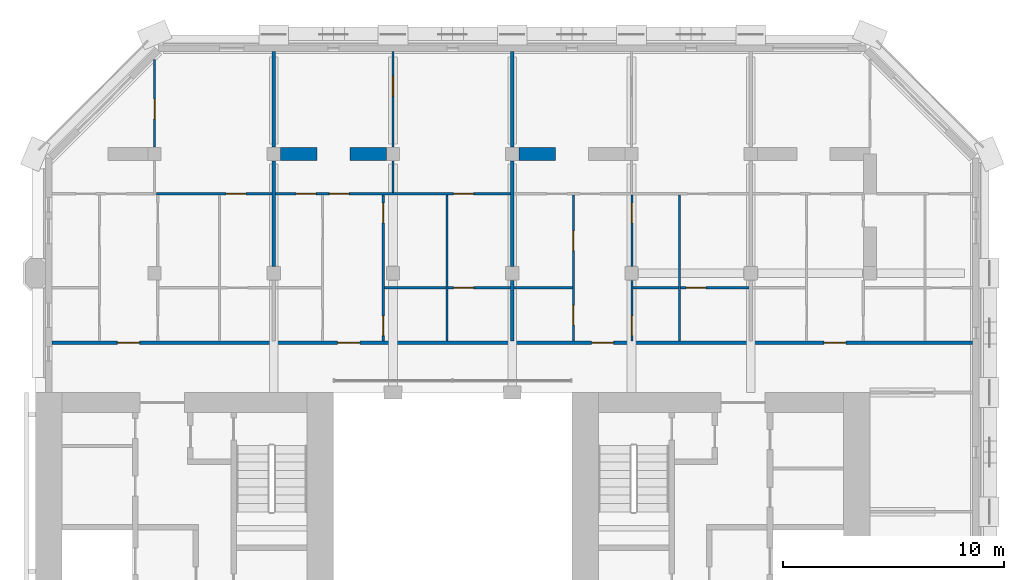
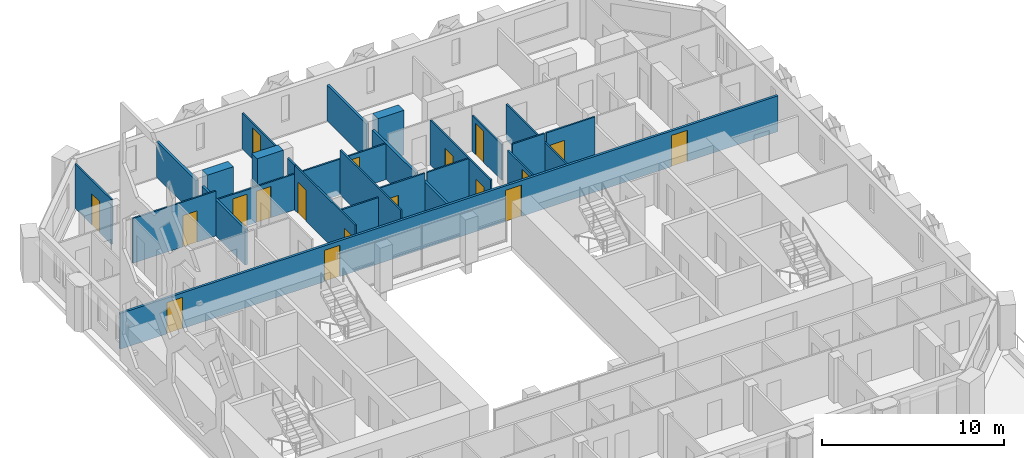
# One storey, part 12 of 17: 25 walls, 18 doors, 18 openings.
"""IFC4 building model written with IfcOpenShell, lengths in metres."""

from ifc_helpers import new_model, si_unit, direction, frame, frame_2d, origin, place, context, subcontext, project, spatial, rectangle, extrude, material, layer, layer_set, type_object, element, fill, save


model = new_model("IFC4")

# Units and contexts
model_context = context("Model", 3, precision=1e-05, world=origin(), true_north=direction((0.0, 1.0)))
body_context = subcontext(model_context, "Body", "Model", "MODEL_VIEW")
ifc_project = project(units=[si_unit("LENGTHUNIT", "METRE"), si_unit("AREAUNIT", "SQUARE_METRE"), si_unit("VOLUMEUNIT", "CUBIC_METRE"), si_unit("PLANEANGLEUNIT", "RADIAN"), si_unit("MASSUNIT", "GRAM", prefix="KILO")], contexts=[model_context])

# Site, building, storey
site_placement = place(None, origin())
site = spatial("IfcSite", under=ifc_project, at=site_placement, CompositionType="ELEMENT")
building_placement = place(site_placement, origin())
building = spatial("IfcBuilding", under=site, at=building_placement, Name="Tabaq Tower and Sports Hall", CompositionType="ELEMENT")
storey_placement = place(building_placement, frame((0.0, 0.0, 288.39990234375)))
storey = spatial("IfcBuildingStorey", under=building, at=storey_placement, Name="L71", CompositionType="ELEMENT", Elevation=288.39990234375)

# Wall, opening, door
ifc_material_1 = material(Name="Gypsum board on steel studs", Category="steel")
ifc_layer_1 = layer(ifc_material_1, 0.10009765625)
ifc_layer_set_1 = layer_set([ifc_layer_1], Name="Partition 100 Gypsum board")
wall_type_1 = type_object("IfcWallType", Name="Partition 100 Gypsum board", PredefinedType="PARTITIONING", material=ifc_layer_set_1)
wall_1_placement = place(storey_placement, frame((10.800048828125, 43.52001953125, 0.0), z_axis=(0.0, 0.0, 1.0), x_axis=(0.0, 1.0, 0.0)))
wall_1 = element("IfcWall", 1, at=wall_1_placement, inside=storey, type_object=wall_type_1, Name="Partition wall L71", PredefinedType="PARTITIONING", context=body_context, shape_type="SweptSolid", body=[
    extrude(rectangle(XDim=3.9677734375, YDim=0.10009765625, at=frame_2d((1.98388671875, 0.0))), origin(), (0.0, 0.0, 1.0), 3.0),
])
opening_1_placement = place(wall_1_placement, frame((1.266845703125, 0.0, 0.0)))
opening_1 = element("IfcOpeningElement", 2, at=opening_1_placement, cuts=wall_1, Name="Opening L71-031", PredefinedType="OPENING", context=body_context, shape_type="SweptSolid", body=[
    extrude(rectangle(XDim=0.89990234375, YDim=2.10009765625, at=frame_2d((0.449951171875, 1.050048828125))), frame((0.0, 0.050048828125, 0.0), z_axis=(0.0, -1.0, 0.0), x_axis=(1.0, 0.0, 0.0)), (0.0, 0.0, 1.0), 0.10009765625),
])
ifc_material_2 = material(Name="Timber leaf in steel frame", Category="steel")
door_type_1 = type_object("IfcDoorType", Name="Internal door 900 right hand", OperationType="SINGLE_SWING_RIGHT", PredefinedType="DOOR", material=ifc_material_2)
door_1_placement = place(opening_1_placement, origin())
door_1 = element("IfcDoor", 3, at=door_1_placement, inside=storey, type_object=door_type_1, Name="Internal door L71-031", OperationType="SINGLE_SWING_RIGHT", OverallHeight=2.10009765625, OverallWidth=0.89990234375, PredefinedType="DOOR", context=body_context, shape_type="SweptSolid", body=[
    extrude(rectangle(XDim=0.89990234375, YDim=2.10009765625, at=frame_2d((0.449951171875, 1.050048828125))), frame((0.0, 0.02490234375, 0.0), z_axis=(0.0, -1.0, 0.0), x_axis=(1.0, 0.0, 0.0)), (0.0, 0.0, 1.0), 0.050048828125),
])
fill(opening_1, door_1)

wall_2_placement = place(storey_placement, frame((10.889892578125, 41.39990234375, 0.0), z_axis=(0.0, 0.0, 1.0), x_axis=(1.0, 0.0, 0.0)))
wall_2 = element("IfcWall", 4, at=wall_2_placement, inside=storey, type_object=wall_type_1, Name="Partition wall L71", PredefinedType="PARTITIONING", context=body_context, shape_type="SweptSolid", body=[
    extrude(rectangle(XDim=5.235107421875, YDim=0.10009765625, at=frame_2d((2.61767578125, 0.0))), origin(), (0.0, 0.0, 1.0), 3.0),
])
opening_2_placement = place(wall_2_placement, frame((3.14990234375, 0.0, 0.0)))
opening_2 = element("IfcOpeningElement", 5, at=opening_2_placement, cuts=wall_2, Name="Opening L71-033", PredefinedType="OPENING", context=body_context, shape_type="SweptSolid", body=[
    extrude(rectangle(XDim=0.89990234375, YDim=2.10009765625, at=frame_2d((0.449951171875, 1.050048828125))), frame((0.0, 0.050048828125, 0.0), z_axis=(0.0, -1.0, 0.0), x_axis=(1.0, 0.0, 0.0)), (0.0, 0.0, 1.0), 0.10009765625),
])
ifc_material_3 = material(Name="Timber leaf in steel frame", Category="steel")
door_type_2 = type_object("IfcDoorType", Name="Internal door 900 left hand", OperationType="SINGLE_SWING_LEFT", PredefinedType="DOOR", material=ifc_material_3)
door_2_placement = place(opening_2_placement, origin())
door_2 = element("IfcDoor", 6, at=door_2_placement, inside=storey, type_object=door_type_2, Name="Internal door L71-033", OperationType="SINGLE_SWING_LEFT", OverallHeight=2.10009765625, OverallWidth=0.89990234375, PredefinedType="DOOR", context=body_context, shape_type="SweptSolid", body=[
    extrude(rectangle(XDim=0.89990234375, YDim=2.10009765625, at=frame_2d((0.449951171875, 1.050048828125))), frame((0.0, 0.02490234375, 0.0), z_axis=(0.0, -1.0, 0.0), x_axis=(1.0, 0.0, 0.0)), (0.0, 0.0, 1.0), 0.050048828125),
])
fill(opening_2, door_2)

# Wall
wall_3_placement = place(storey_placement, frame((21.60009765625, 41.449951171875, 0.0), z_axis=(0.0, 0.0, 1.0), x_axis=(0.0, 1.0, 0.0)))
element("IfcWall", 7, at=wall_3_placement, inside=storey, type_object=wall_type_1, Name="Partition wall L71", PredefinedType="PARTITIONING", context=body_context, shape_type="SweptSolid", body=[
    extrude(rectangle(XDim=1.429931640625, YDim=0.10009765625, at=frame_2d((0.71484375, 0.0))), origin(), (0.0, 0.0, 1.0), 2.400146484375),
])

# Wall, opening, door
wall_4_placement = place(storey_placement, frame((21.60009765625, 43.52001953125, 0.0), z_axis=(0.0, 0.0, 1.0), x_axis=(0.0, 1.0, 0.0)))
wall_4 = element("IfcWall", 8, at=wall_4_placement, inside=storey, type_object=wall_type_1, Name="Partition wall L71", PredefinedType="PARTITIONING", context=body_context, shape_type="SweptSolid", body=[
    extrude(rectangle(XDim=4.3291015625, YDim=0.10009765625, at=frame_2d((2.16455078125, 0.0))), origin(), (0.0, 0.0, 1.0), 2.400146484375),
])
opening_3_placement = place(wall_4_placement, frame((2.304931640625, 0.0, 0.0)))
opening_3 = element("IfcOpeningElement", 9, at=opening_3_placement, cuts=wall_4, Name="Opening L71-035", PredefinedType="OPENING", context=body_context, shape_type="SweptSolid", body=[
    extrude(rectangle(XDim=0.89990234375, YDim=2.10009765625, at=frame_2d((0.449951171875, 1.050048828125))), frame((0.0, 0.050048828125, 0.0), z_axis=(0.0, -1.0, 0.0), x_axis=(1.0, 0.0, 0.0)), (0.0, 0.0, 1.0), 0.10009765625),
])
door_3_placement = place(opening_3_placement, origin())
door_3 = element("IfcDoor", 10, at=door_3_placement, inside=storey, type_object=door_type_1, Name="Internal door L71-035", OperationType="SINGLE_SWING_RIGHT", OverallHeight=2.10009765625, OverallWidth=0.89990234375, PredefinedType="DOOR", context=body_context, shape_type="SweptSolid", body=[
    extrude(rectangle(XDim=0.89990234375, YDim=2.10009765625, at=frame_2d((0.449951171875, 1.050048828125))), frame((0.0, 0.02490234375, 0.0), z_axis=(0.0, -1.0, 0.0), x_axis=(1.0, 0.0, 0.0)), (0.0, 0.0, 1.0), 0.050048828125),
])
fill(opening_3, door_3)

# Wall, openings, doors
wall_5_placement = place(storey_placement, frame((16.27490234375, 41.39990234375, 0.0), z_axis=(0.0, 0.0, 1.0), x_axis=(1.0, 0.0, 0.0)))
wall_5 = element("IfcWall", 11, at=wall_5_placement, inside=storey, type_object=wall_type_1, Name="Partition wall L71", PredefinedType="PARTITIONING", context=body_context, shape_type="SweptSolid", body=[
    extrude(rectangle(XDim=10.650146484375, YDim=0.10009765625, at=frame_2d((5.3251953125, 0.0))), origin(), (0.0, 0.0, 1.0), 2.400146484375),
])
opening_4_placement = place(wall_5_placement, frame((0.93701171875, 0.0, 0.0)))
opening_4 = element("IfcOpeningElement", 12, at=opening_4_placement, cuts=wall_5, Name="Opening L71-036", PredefinedType="OPENING", context=body_context, shape_type="SweptSolid", body=[
    extrude(rectangle(XDim=0.89990234375, YDim=2.10009765625, at=frame_2d((0.449951171875, 1.050048828125))), frame((0.0, 0.050048828125, 0.0), z_axis=(0.0, -1.0, 0.0), x_axis=(1.0, 0.0, 0.0)), (0.0, 0.0, 1.0), 0.10009765625),
])
opening_5_placement = place(wall_5_placement, frame((8.074951171875, 0.0, 0.0)))
opening_5 = element("IfcOpeningElement", 13, at=opening_5_placement, cuts=wall_5, Name="Opening L71-037", PredefinedType="OPENING", context=body_context, shape_type="SweptSolid", body=[
    extrude(rectangle(XDim=0.89990234375, YDim=2.10009765625, at=frame_2d((0.449951171875, 1.050048828125))), frame((0.0, 0.050048828125, 0.0), z_axis=(0.0, -1.0, 0.0), x_axis=(1.0, 0.0, 0.0)), (0.0, 0.0, 1.0), 0.10009765625),
])
opening_6_placement = place(wall_5_placement, frame((2.43701171875, 0.0, 0.0)))
opening_6 = element("IfcOpeningElement", 14, at=opening_6_placement, cuts=wall_5, Name="Opening L71-053", PredefinedType="OPENING", context=body_context, shape_type="SweptSolid", body=[
    extrude(rectangle(XDim=0.89990234375, YDim=2.10009765625, at=frame_2d((0.449951171875, 1.050048828125))), frame((0.0, 0.050048828125, 0.0), z_axis=(0.0, -1.0, 0.0), x_axis=(1.0, 0.0, 0.0)), (0.0, 0.0, 1.0), 0.10009765625),
])
door_4_placement = place(opening_5_placement, origin())
door_4 = element("IfcDoor", 15, at=door_4_placement, inside=storey, type_object=door_type_2, Name="Internal door L71-037", OperationType="SINGLE_SWING_LEFT", OverallHeight=2.10009765625, OverallWidth=0.89990234375, PredefinedType="DOOR", context=body_context, shape_type="SweptSolid", body=[
    extrude(rectangle(XDim=0.89990234375, YDim=2.10009765625, at=frame_2d((0.449951171875, 1.050048828125))), frame((0.0, 0.02490234375, 0.0), z_axis=(0.0, -1.0, 0.0), x_axis=(1.0, 0.0, 0.0)), (0.0, 0.0, 1.0), 0.050048828125),
])
fill(opening_5, door_4)
door_5_placement = place(opening_6_placement, origin())
door_5 = element("IfcDoor", 16, at=door_5_placement, inside=storey, type_object=door_type_2, Name="Internal door L71-053", OperationType="SINGLE_SWING_LEFT", OverallHeight=2.10009765625, OverallWidth=0.89990234375, PredefinedType="DOOR", context=body_context, shape_type="SweptSolid", body=[
    extrude(rectangle(XDim=0.89990234375, YDim=2.10009765625, at=frame_2d((0.449951171875, 1.050048828125))), frame((0.0, 0.02490234375, 0.0), z_axis=(0.0, -1.0, 0.0), x_axis=(1.0, 0.0, 0.0)), (0.0, 0.0, 1.0), 0.050048828125),
])
fill(opening_6, door_5)
door_6_placement = place(opening_4_placement, origin())
door_6 = element("IfcDoor", 17, at=door_6_placement, inside=storey, type_object=door_type_1, Name="Internal door L71-036", OperationType="SINGLE_SWING_RIGHT", OverallHeight=2.10009765625, OverallWidth=0.89990234375, PredefinedType="DOOR", context=body_context, shape_type="SweptSolid", body=[
    extrude(rectangle(XDim=0.89990234375, YDim=2.10009765625, at=frame_2d((0.449951171875, 1.050048828125))), frame((0.0, 0.02490234375, 0.0), z_axis=(0.0, -1.0, 0.0), x_axis=(1.0, 0.0, 0.0)), (0.0, 0.0, 1.0), 0.050048828125),
])
fill(opening_4, door_6)

wall_6_placement = place(storey_placement, frame((21.162109375, 34.72509765625, 0.0), z_axis=(0.0, 0.0, 1.0), x_axis=(0.0, 1.0, 0.0)))
wall_6 = element("IfcWall", 18, at=wall_6_placement, inside=storey, type_object=wall_type_1, Name="Partition wall L71", PredefinedType="PARTITIONING", context=body_context, shape_type="SweptSolid", body=[
    extrude(rectangle(XDim=6.625, YDim=0.10009765625, at=frame_2d((3.3125, 0.0))), origin(), (0.0, 0.0, 1.0), 3.0),
])
opening_7_placement = place(wall_6_placement, frame((5.360107421875, 0.0, 0.0)))
opening_7 = element("IfcOpeningElement", 19, at=opening_7_placement, cuts=wall_6, Name="Opening L71-006", PredefinedType="OPENING", context=body_context, shape_type="SweptSolid", body=[
    extrude(rectangle(XDim=0.89990234375, YDim=2.10009765625, at=frame_2d((0.449951171875, 1.050048828125))), frame((0.0, 0.050048828125, 0.0), z_axis=(0.0, -1.0, 0.0), x_axis=(1.0, 0.0, 0.0)), (0.0, 0.0, 1.0), 0.10009765625),
])
opening_8_placement = place(wall_6_placement, frame((0.25, 0.0, 0.0)))
opening_8 = element("IfcOpeningElement", 20, at=opening_8_placement, cuts=wall_6, Name="Opening L71-007", PredefinedType="OPENING", context=body_context, shape_type="SweptSolid", body=[
    extrude(rectangle(XDim=0.89990234375, YDim=2.10009765625, at=frame_2d((0.449951171875, 1.050048828125))), frame((0.0, 0.050048828125, 0.0), z_axis=(0.0, -1.0, 0.0), x_axis=(1.0, 0.0, 0.0)), (0.0, 0.0, 1.0), 0.10009765625),
])
door_7_placement = place(opening_7_placement, origin())
door_7 = element("IfcDoor", 21, at=door_7_placement, inside=storey, type_object=door_type_2, Name="Internal door L71-006", OperationType="SINGLE_SWING_LEFT", OverallHeight=2.10009765625, OverallWidth=0.89990234375, PredefinedType="DOOR", context=body_context, shape_type="SweptSolid", body=[
    extrude(rectangle(XDim=0.89990234375, YDim=2.10009765625, at=frame_2d((0.449951171875, 1.050048828125))), frame((0.0, 0.02490234375, 0.0), z_axis=(0.0, -1.0, 0.0), x_axis=(1.0, 0.0, 0.0)), (0.0, 0.0, 1.0), 0.050048828125),
])
fill(opening_7, door_7)
door_8_placement = place(opening_8_placement, origin())
door_8 = element("IfcDoor", 22, at=door_8_placement, inside=storey, type_object=door_type_2, Name="Internal door L71-007", OperationType="SINGLE_SWING_LEFT", OverallHeight=2.10009765625, OverallWidth=0.89990234375, PredefinedType="DOOR", context=body_context, shape_type="SweptSolid", body=[
    extrude(rectangle(XDim=0.89990234375, YDim=2.10009765625, at=frame_2d((0.449951171875, 1.050048828125))), frame((0.0, 0.02490234375, 0.0), z_axis=(0.0, -1.0, 0.0), x_axis=(1.0, 0.0, 0.0)), (0.0, 0.0, 1.0), 0.050048828125),
])
fill(opening_8, door_8)

# Walls
wall_7_placement = place(storey_placement, frame((21.2119140625, 37.14990234375, 0.0), z_axis=(0.0, 0.0, 1.0), x_axis=(1.0, 0.0, 0.0)))
element("IfcWall", 23, at=wall_7_placement, inside=storey, type_object=wall_type_1, Name="Partition wall L71", PredefinedType="PARTITIONING", context=body_context, shape_type="SweptSolid", body=[
    extrude(rectangle(XDim=2.7880859375, YDim=0.10009765625, at=frame_2d((1.39404296875, 0.0))), origin(), (0.0, 0.0, 1.0), 2.400146484375),
])
wall_8_placement = place(storey_placement, frame((24.050048828125, 34.72509765625, 0.0), z_axis=(0.0, 0.0, 1.0), x_axis=(0.0, 1.0, 0.0)))
element("IfcWall", 24, at=wall_8_placement, inside=storey, type_object=wall_type_1, Name="Partition wall L71", PredefinedType="PARTITIONING", context=body_context, shape_type="SweptSolid", body=[
    extrude(rectangle(XDim=6.625, YDim=0.10009765625, at=frame_2d((3.3125, 0.0))), origin(), (0.0, 0.0, 1.0), 3.0),
])

# Wall, opening, door
wall_9_placement = place(storey_placement, frame((24.10009765625, 37.14990234375, 0.0), z_axis=(0.0, 0.0, 1.0), x_axis=(1.0, 0.0, 0.0)))
wall_9 = element("IfcWall", 25, at=wall_9_placement, inside=storey, type_object=wall_type_1, Name="Partition wall L71", PredefinedType="PARTITIONING", context=body_context, shape_type="SweptSolid", body=[
    extrude(rectangle(XDim=2.824951171875, YDim=0.10009765625, at=frame_2d((1.41259765625, 0.0))), origin(), (0.0, 0.0, 1.0), 3.0),
])
opening_9_placement = place(wall_9_placement, frame((0.25, 0.0, 0.0)))
opening_9 = element("IfcOpeningElement", 26, at=opening_9_placement, cuts=wall_9, Name="Opening L71-008", PredefinedType="OPENING", context=body_context, shape_type="SweptSolid", body=[
    extrude(rectangle(XDim=0.89990234375, YDim=2.10009765625, at=frame_2d((0.449951171875, 1.050048828125))), frame((0.0, 0.050048828125, 0.0), z_axis=(0.0, -1.0, 0.0), x_axis=(1.0, 0.0, 0.0)), (0.0, 0.0, 1.0), 0.10009765625),
])
door_9_placement = place(opening_9_placement, origin())
door_9 = element("IfcDoor", 27, at=door_9_placement, inside=storey, type_object=door_type_2, Name="Internal door L71-008", OperationType="SINGLE_SWING_LEFT", OverallHeight=2.10009765625, OverallWidth=0.89990234375, PredefinedType="DOOR", context=body_context, shape_type="SweptSolid", body=[
    extrude(rectangle(XDim=0.89990234375, YDim=2.10009765625, at=frame_2d((0.449951171875, 1.050048828125))), frame((0.0, 0.02490234375, 0.0), z_axis=(0.0, -1.0, 0.0), x_axis=(1.0, 0.0, 0.0)), (0.0, 0.0, 1.0), 0.050048828125),
])
fill(opening_9, door_9)

# Wall
wall_10_placement = place(storey_placement, frame((27.074951171875, 37.14990234375, 0.0), z_axis=(0.0, 0.0, 1.0), x_axis=(1.0, 0.0, 0.0)))
element("IfcWall", 28, at=wall_10_placement, inside=storey, type_object=wall_type_1, Name="Partition wall L71", PredefinedType="PARTITIONING", context=body_context, shape_type="SweptSolid", body=[
    extrude(rectangle(XDim=2.64501953125, YDim=0.10009765625, at=frame_2d((1.322509765625, 0.0))), origin(), (0.0, 0.0, 1.0), 3.0),
])

# Wall, openings, doors
wall_11_placement = place(storey_placement, frame((29.77001953125, 34.72509765625, 0.0), z_axis=(0.0, 0.0, 1.0), x_axis=(0.0, 1.0, 0.0)))
wall_11 = element("IfcWall", 29, at=wall_11_placement, inside=storey, type_object=wall_type_1, Name="Partition wall L71", PredefinedType="PARTITIONING", context=body_context, shape_type="SweptSolid", body=[
    extrude(rectangle(XDim=6.625, YDim=0.10009765625, at=frame_2d((3.3125, 0.0))), origin(), (0.0, 0.0, 1.0), 3.0),
])
opening_10_placement = place(wall_11_placement, frame((0.72509765625, 0.0, 0.0)))
opening_10 = element("IfcOpeningElement", 30, at=opening_10_placement, cuts=wall_11, Name="Opening L71-009", PredefinedType="OPENING", context=body_context, shape_type="SweptSolid", body=[
    extrude(rectangle(XDim=0.89990234375, YDim=2.10009765625, at=frame_2d((0.449951171875, 1.050048828125))), frame((0.0, 0.050048828125, 0.0), z_axis=(0.0, -1.0, 0.0), x_axis=(1.0, 0.0, 0.0)), (0.0, 0.0, 1.0), 0.10009765625),
])
opening_11_placement = place(wall_11_placement, frame((4.10009765625, 0.0, 0.0)))
opening_11 = element("IfcOpeningElement", 31, at=opening_11_placement, cuts=wall_11, Name="Opening L71-042", PredefinedType="OPENING", context=body_context, shape_type="SweptSolid", body=[
    extrude(rectangle(XDim=0.89990234375, YDim=2.10009765625, at=frame_2d((0.449951171875, 1.050048828125))), frame((0.0, 0.050048828125, 0.0), z_axis=(0.0, -1.0, 0.0), x_axis=(1.0, 0.0, 0.0)), (0.0, 0.0, 1.0), 0.10009765625),
])
door_10_placement = place(opening_10_placement, origin())
door_10 = element("IfcDoor", 32, at=door_10_placement, inside=storey, type_object=door_type_2, Name="Internal door L71-009", OperationType="SINGLE_SWING_LEFT", OverallHeight=2.10009765625, OverallWidth=0.89990234375, PredefinedType="DOOR", context=body_context, shape_type="SweptSolid", body=[
    extrude(rectangle(XDim=0.89990234375, YDim=2.10009765625, at=frame_2d((0.449951171875, 1.050048828125))), frame((0.0, 0.02490234375, 0.0), z_axis=(0.0, -1.0, 0.0), x_axis=(1.0, 0.0, 0.0)), (0.0, 0.0, 1.0), 0.050048828125),
])
fill(opening_10, door_10)
door_11_placement = place(opening_11_placement, origin())
door_11 = element("IfcDoor", 33, at=door_11_placement, inside=storey, type_object=door_type_1, Name="Internal door L71-042", OperationType="SINGLE_SWING_RIGHT", OverallHeight=2.10009765625, OverallWidth=0.89990234375, PredefinedType="DOOR", context=body_context, shape_type="SweptSolid", body=[
    extrude(rectangle(XDim=0.89990234375, YDim=2.10009765625, at=frame_2d((0.449951171875, 1.050048828125))), frame((0.0, 0.02490234375, 0.0), z_axis=(0.0, -1.0, 0.0), x_axis=(1.0, 0.0, 0.0)), (0.0, 0.0, 1.0), 0.050048828125),
])
fill(opening_11, door_11)

# Wall, opening, door
wall_12_placement = place(storey_placement, frame((32.419921875, 34.72509765625, 0.0), z_axis=(0.0, 0.0, 1.0), x_axis=(0.0, 1.0, 0.0)))
wall_12 = element("IfcWall", 34, at=wall_12_placement, inside=storey, type_object=wall_type_1, Name="Partition wall L71", PredefinedType="PARTITIONING", context=body_context, shape_type="SweptSolid", body=[
    extrude(rectangle(XDim=2.7548828125, YDim=0.10009765625, at=frame_2d((1.37744140625, 0.0))), origin(), (0.0, 0.0, 1.0), 2.400146484375),
])
opening_12_placement = place(wall_12_placement, frame((0.25, 0.0, 0.0)))
opening_12 = element("IfcOpeningElement", 35, at=opening_12_placement, cuts=wall_12, Name="Opening L71-011", PredefinedType="OPENING", context=body_context, shape_type="SweptSolid", body=[
    extrude(rectangle(XDim=0.89990234375, YDim=2.10009765625, at=frame_2d((0.449951171875, 1.050048828125))), frame((0.0, 0.050048828125, 0.0), z_axis=(0.0, -1.0, 0.0), x_axis=(1.0, 0.0, 0.0)), (0.0, 0.0, 1.0), 0.10009765625),
])
door_12_placement = place(opening_12_placement, origin())
door_12 = element("IfcDoor", 36, at=door_12_placement, inside=storey, type_object=door_type_1, Name="Internal door L71-011", OperationType="SINGLE_SWING_RIGHT", OverallHeight=2.10009765625, OverallWidth=0.89990234375, PredefinedType="DOOR", context=body_context, shape_type="SweptSolid", body=[
    extrude(rectangle(XDim=0.89990234375, YDim=2.10009765625, at=frame_2d((0.449951171875, 1.050048828125))), frame((0.0, 0.02490234375, 0.0), z_axis=(0.0, -1.0, 0.0), x_axis=(1.0, 0.0, 0.0)), (0.0, 0.0, 1.0), 0.050048828125),
])
fill(opening_12, door_12)

wall_13_placement = place(storey_placement, frame((32.419921875, 38.1201171875, 0.0), z_axis=(0.0, 0.0, 1.0), x_axis=(0.0, 1.0, 0.0)))
wall_13 = element("IfcWall", 37, at=wall_13_placement, inside=storey, type_object=wall_type_1, Name="Partition wall L71", PredefinedType="PARTITIONING", context=body_context, shape_type="SweptSolid", body=[
    extrude(rectangle(XDim=3.22998046875, YDim=0.10009765625, at=frame_2d((1.614990234375, 0.0))), origin(), (0.0, 0.0, 1.0), 2.400146484375),
])
opening_13_placement = place(wall_13_placement, frame((1.965087890625, 0.0, 0.0)))
opening_13 = element("IfcOpeningElement", 38, at=opening_13_placement, cuts=wall_13, Name="Opening L71-010", PredefinedType="OPENING", context=body_context, shape_type="SweptSolid", body=[
    extrude(rectangle(XDim=0.89990234375, YDim=2.10009765625, at=frame_2d((0.449951171875, 1.050048828125))), frame((0.0, 0.050048828125, 0.0), z_axis=(0.0, -1.0, 0.0), x_axis=(1.0, 0.0, 0.0)), (0.0, 0.0, 1.0), 0.10009765625),
])
door_13_placement = place(opening_13_placement, origin())
door_13 = element("IfcDoor", 39, at=door_13_placement, inside=storey, type_object=door_type_1, Name="Internal door L71-010", OperationType="SINGLE_SWING_RIGHT", OverallHeight=2.10009765625, OverallWidth=0.89990234375, PredefinedType="DOOR", context=body_context, shape_type="SweptSolid", body=[
    extrude(rectangle(XDim=0.89990234375, YDim=2.10009765625, at=frame_2d((0.449951171875, 1.050048828125))), frame((0.0, 0.02490234375, 0.0), z_axis=(0.0, -1.0, 0.0), x_axis=(1.0, 0.0, 0.0)), (0.0, 0.0, 1.0), 0.050048828125),
])
fill(opening_13, door_13)

# Walls
wall_14_placement = place(storey_placement, frame((32.469970703125, 37.14990234375, 0.0), z_axis=(0.0, 0.0, 1.0), x_axis=(1.0, 0.0, 0.0)))
element("IfcWall", 40, at=wall_14_placement, inside=storey, type_object=wall_type_1, Name="Partition wall L71", PredefinedType="PARTITIONING", context=body_context, shape_type="SweptSolid", body=[
    extrude(rectangle(XDim=2.055908203125, YDim=0.10009765625, at=frame_2d((1.02783203125, 0.0))), origin(), (0.0, 0.0, 1.0), 3.0),
])
wall_15_placement = place(storey_placement, frame((34.575927734375, 34.72509765625, 0.0), z_axis=(0.0, 0.0, 1.0), x_axis=(0.0, 1.0, 0.0)))
element("IfcWall", 41, at=wall_15_placement, inside=storey, type_object=wall_type_1, Name="Partition wall L71", PredefinedType="PARTITIONING", context=body_context, shape_type="SweptSolid", body=[
    extrude(rectangle(XDim=6.625, YDim=0.10009765625, at=frame_2d((3.3125, 0.0))), origin(), (0.0, 0.0, 1.0), 2.400146484375),
])

# Wall, opening, door
wall_16_placement = place(storey_placement, frame((34.6259765625, 37.14990234375, 0.0), z_axis=(0.0, 0.0, 1.0), x_axis=(1.0, 0.0, 0.0)))
wall_16 = element("IfcWall", 42, at=wall_16_placement, inside=storey, type_object=wall_type_1, Name="Partition wall L71", PredefinedType="PARTITIONING", context=body_context, shape_type="SweptSolid", body=[
    extrude(rectangle(XDim=3.09912109375, YDim=0.10009765625, at=frame_2d((1.549560546875, 0.0))), origin(), (0.0, 0.0, 1.0), 3.0),
])
opening_14_placement = place(wall_16_placement, frame((0.25, 0.0, 0.0)))
opening_14 = element("IfcOpeningElement", 43, at=opening_14_placement, cuts=wall_16, Name="Opening L71-012", PredefinedType="OPENING", context=body_context, shape_type="SweptSolid", body=[
    extrude(rectangle(XDim=0.89990234375, YDim=2.10009765625, at=frame_2d((0.449951171875, 1.050048828125))), frame((0.0, 0.050048828125, 0.0), z_axis=(0.0, -1.0, 0.0), x_axis=(1.0, 0.0, 0.0)), (0.0, 0.0, 1.0), 0.10009765625),
])
door_14_placement = place(opening_14_placement, origin())
door_14 = element("IfcDoor", 44, at=door_14_placement, inside=storey, type_object=door_type_1, Name="Internal door L71-012", OperationType="SINGLE_SWING_RIGHT", OverallHeight=2.10009765625, OverallWidth=0.89990234375, PredefinedType="DOOR", context=body_context, shape_type="SweptSolid", body=[
    extrude(rectangle(XDim=0.89990234375, YDim=2.10009765625, at=frame_2d((0.449951171875, 1.050048828125))), frame((0.0, 0.02490234375, 0.0), z_axis=(0.0, -1.0, 0.0), x_axis=(1.0, 0.0, 0.0)), (0.0, 0.0, 1.0), 0.050048828125),
])
fill(opening_14, door_14)

# Walls
ifc_material_4 = material(Name="Concrete C40/50", Category="concrete")
ifc_layer_2 = layer(ifc_material_4, 0.60009765625)
ifc_layer_set_2 = layer_set([ifc_layer_2], Name="RC TRANSFER WALL 600 C40/50")
wall_type_2 = type_object("IfcWallType", Name="RC TRANSFER WALL 600 C40/50", PredefinedType="SHEAR", material=ifc_layer_set_2)
wall_17_placement = place(storey_placement, frame((16.5, 43.199951171875, 0.0), z_axis=(0.0, 0.0, 1.0), x_axis=(1.0, 0.0, 0.0)))
element("IfcWall", 45, at=wall_17_placement, inside=storey, type_object=wall_type_2, Name="Transfer Wall L71 North 7", PredefinedType="SHEAR", context=body_context, shape_type="SweptSolid", body=[
    extrude(rectangle(XDim=1.64990234375, YDim=0.60009765625, at=frame_2d((0.824951171875, 0.0))), origin(), (0.0, 0.0, 1.0), 3.0),
])
wall_18_placement = place(storey_placement, frame((19.64990234375, 43.199951171875, 0.0), z_axis=(0.0, 0.0, 1.0), x_axis=(1.0, 0.0, 0.0)))
element("IfcWall", 46, at=wall_18_placement, inside=storey, type_object=wall_type_2, Name="Transfer Wall L71 North 8", PredefinedType="SHEAR", context=body_context, shape_type="SweptSolid", body=[
    extrude(rectangle(XDim=1.650146484375, YDim=0.60009765625, at=frame_2d((0.8251953125, 0.0))), origin(), (0.0, 0.0, 1.0), 3.0),
])
wall_19_placement = place(storey_placement, frame((27.300048828125, 43.199951171875, 0.0), z_axis=(0.0, 0.0, 1.0), x_axis=(1.0, 0.0, 0.0)))
element("IfcWall", 47, at=wall_19_placement, inside=storey, type_object=wall_type_2, Name="Transfer Wall L71 North 9", PredefinedType="SHEAR", context=body_context, shape_type="SweptSolid", body=[
    extrude(rectangle(XDim=1.64990234375, YDim=0.60009765625, at=frame_2d((0.824951171875, 0.0))), origin(), (0.0, 0.0, 1.0), 3.0),
])
ifc_material_5 = material(Name="Blockwork", Category="masonry")
ifc_layer_3 = layer(ifc_material_5, 0.14990234375)
ifc_layer_set_3 = layer_set([ifc_layer_3], Name="Separating wall 150 Blockwork")
wall_type_3 = type_object("IfcWallType", Name="Separating wall 150 Blockwork", PredefinedType="PARTITIONING", material=ifc_layer_set_3)
wall_20_placement = place(storey_placement, frame((16.199951171875, 43.52001953125, 0.0), z_axis=(0.0, 0.0, 1.0), x_axis=(0.0, 1.0, 0.0)))
element("IfcWall", 48, at=wall_20_placement, inside=storey, type_object=wall_type_3, Name="Separating wall L71", PredefinedType="PARTITIONING", context=body_context, shape_type="SweptSolid", body=[
    extrude(rectangle(XDim=4.3291015625, YDim=0.14990234375, at=frame_2d((2.16455078125, 0.0))), origin(), (0.0, 0.0, 1.0), 2.400146484375),
])
wall_21_placement = place(storey_placement, frame((16.199951171875, 38.1201171875, 0.0), z_axis=(0.0, 0.0, 1.0), x_axis=(0.0, 1.0, 0.0)))
element("IfcWall", 49, at=wall_21_placement, inside=storey, type_object=wall_type_3, Name="Separating wall L71", PredefinedType="PARTITIONING", context=body_context, shape_type="SweptSolid", body=[
    extrude(rectangle(XDim=4.759765625, YDim=0.14990234375, at=frame_2d((2.3798828125, 0.0))), origin(), (0.0, 0.0, 1.0), 2.400146484375),
])
wall_22_placement = place(storey_placement, frame((27.0, 43.52001953125, 0.0), z_axis=(0.0, 0.0, 1.0), x_axis=(0.0, 1.0, 0.0)))
element("IfcWall", 50, at=wall_22_placement, inside=storey, type_object=wall_type_3, Name="Separating wall L71", PredefinedType="PARTITIONING", context=body_context, shape_type="SweptSolid", body=[
    extrude(rectangle(XDim=4.3291015625, YDim=0.14990234375, at=frame_2d((2.16455078125, 0.0))), origin(), (0.0, 0.0, 1.0), 2.400146484375),
])
wall_23_placement = place(storey_placement, frame((27.0, 38.1201171875, 0.0), z_axis=(0.0, 0.0, 1.0), x_axis=(0.0, 1.0, 0.0)))
element("IfcWall", 51, at=wall_23_placement, inside=storey, type_object=wall_type_3, Name="Separating wall L71", PredefinedType="PARTITIONING", context=body_context, shape_type="SweptSolid", body=[
    extrude(rectangle(XDim=4.759765625, YDim=0.14990234375, at=frame_2d((2.3798828125, 0.0))), origin(), (0.0, 0.0, 1.0), 2.400146484375),
])
wall_24_placement = place(storey_placement, frame((27.0, 34.72509765625, 0.0), z_axis=(0.0, 0.0, 1.0), x_axis=(0.0, 1.0, 0.0)))
element("IfcWall", 52, at=wall_24_placement, inside=storey, type_object=wall_type_3, Name="Separating wall L71", PredefinedType="PARTITIONING", context=body_context, shape_type="SweptSolid", body=[
    extrude(rectangle(XDim=2.7548828125, YDim=0.14990234375, at=frame_2d((1.37744140625, 0.0))), origin(), (0.0, 0.0, 1.0), 2.400146484375),
])

# Wall, openings, doors
wall_25_placement = place(storey_placement, frame((6.15087890625, 34.64990234375, 0.0), z_axis=(0.0, 0.0, 1.0), x_axis=(1.0, 0.0, 0.0)))
wall_25 = element("IfcWall", 53, at=wall_25_placement, inside=storey, type_object=wall_type_3, Name="Separating wall L71", PredefinedType="PARTITIONING", context=body_context, shape_type="SweptSolid", body=[
    extrude(rectangle(XDim=41.6982421875, YDim=0.14990234375, at=frame_2d((20.84912109375, 0.0))), origin(), (0.0, 0.0, 1.0), 2.400146484375),
])
opening_15_placement = place(wall_25_placement, frame((2.968994140625, 0.0, 0.0)))
opening_15 = element("IfcOpeningElement", 54, at=opening_15_placement, cuts=wall_25, Name="Opening L71-064", PredefinedType="OPENING", context=body_context, shape_type="SweptSolid", body=[
    extrude(rectangle(XDim=1.0, YDim=2.10009765625, at=frame_2d((0.5, 1.050048828125))), frame((0.0, 0.074951171875, 0.0), z_axis=(0.0, -1.0, 0.0), x_axis=(1.0, 0.0, 0.0)), (0.0, 0.0, 1.0), 0.14990234375),
])
opening_16_placement = place(wall_25_placement, frame((12.944091796875, 0.0, 0.0)))
opening_16 = element("IfcOpeningElement", 55, at=opening_16_placement, cuts=wall_25, Name="Opening L71-065", PredefinedType="OPENING", context=body_context, shape_type="SweptSolid", body=[
    extrude(rectangle(XDim=1.0, YDim=2.10009765625, at=frame_2d((0.5, 1.050048828125))), frame((0.0, 0.074951171875, 0.0), z_axis=(0.0, -1.0, 0.0), x_axis=(1.0, 0.0, 0.0)), (0.0, 0.0, 1.0), 0.14990234375),
])
opening_17_placement = place(wall_25_placement, frame((24.444091796875, 0.0, 0.0)))
opening_17 = element("IfcOpeningElement", 56, at=opening_17_placement, cuts=wall_25, Name="Opening L71-066", PredefinedType="OPENING", context=body_context, shape_type="SweptSolid", body=[
    extrude(rectangle(XDim=1.0, YDim=2.10009765625, at=frame_2d((0.5, 1.050048828125))), frame((0.0, 0.074951171875, 0.0), z_axis=(0.0, -1.0, 0.0), x_axis=(1.0, 0.0, 0.0)), (0.0, 0.0, 1.0), 0.14990234375),
])
opening_18_placement = place(wall_25_placement, frame((34.964111328125, 0.0, 0.0)))
opening_18 = element("IfcOpeningElement", 57, at=opening_18_placement, cuts=wall_25, Name="Opening L71-067", PredefinedType="OPENING", context=body_context, shape_type="SweptSolid", body=[
    extrude(rectangle(XDim=1.0, YDim=2.10009765625, at=frame_2d((0.5, 1.050048828125))), frame((0.0, 0.074951171875, 0.0), z_axis=(0.0, -1.0, 0.0), x_axis=(1.0, 0.0, 0.0)), (0.0, 0.0, 1.0), 0.14990234375),
])
ifc_material_6 = material(Name="Steel fire door", Category="steel")
door_type_3 = type_object("IfcDoorType", Name="Entrance door 1000 left hand", OperationType="SINGLE_SWING_LEFT", PredefinedType="DOOR", material=ifc_material_6)
door_15_placement = place(opening_17_placement, origin())
door_15 = element("IfcDoor", 58, at=door_15_placement, inside=storey, type_object=door_type_3, Name="Entrance door L71-066", OperationType="SINGLE_SWING_LEFT", OverallHeight=2.10009765625, OverallWidth=1.0, PredefinedType="DOOR", context=body_context, shape_type="SweptSolid", body=[
    extrude(rectangle(XDim=1.0, YDim=2.10009765625, at=frame_2d((0.5, 1.050048828125))), frame((0.0, 0.02490234375, 0.0), z_axis=(0.0, -1.0, 0.0), x_axis=(1.0, 0.0, 0.0)), (0.0, 0.0, 1.0), 0.050048828125),
])
fill(opening_17, door_15)
door_16_placement = place(opening_18_placement, origin())
door_16 = element("IfcDoor", 59, at=door_16_placement, inside=storey, type_object=door_type_3, Name="Entrance door L71-067", OperationType="SINGLE_SWING_LEFT", OverallHeight=2.10009765625, OverallWidth=1.0, PredefinedType="DOOR", context=body_context, shape_type="SweptSolid", body=[
    extrude(rectangle(XDim=1.0, YDim=2.10009765625, at=frame_2d((0.5, 1.050048828125))), frame((0.0, 0.02490234375, 0.0), z_axis=(0.0, -1.0, 0.0), x_axis=(1.0, 0.0, 0.0)), (0.0, 0.0, 1.0), 0.050048828125),
])
fill(opening_18, door_16)
ifc_material_7 = material(Name="Steel fire door", Category="steel")
door_type_4 = type_object("IfcDoorType", Name="Entrance door 1000 right hand", OperationType="SINGLE_SWING_RIGHT", PredefinedType="DOOR", material=ifc_material_7)
door_17_placement = place(opening_15_placement, origin())
door_17 = element("IfcDoor", 60, at=door_17_placement, inside=storey, type_object=door_type_4, Name="Entrance door L71-064", OperationType="SINGLE_SWING_RIGHT", OverallHeight=2.10009765625, OverallWidth=1.0, PredefinedType="DOOR", context=body_context, shape_type="SweptSolid", body=[
    extrude(rectangle(XDim=1.0, YDim=2.10009765625, at=frame_2d((0.5, 1.050048828125))), frame((0.0, 0.02490234375, 0.0), z_axis=(0.0, -1.0, 0.0), x_axis=(1.0, 0.0, 0.0)), (0.0, 0.0, 1.0), 0.050048828125),
])
fill(opening_15, door_17)
door_18_placement = place(opening_16_placement, origin())
door_18 = element("IfcDoor", 61, at=door_18_placement, inside=storey, type_object=door_type_4, Name="Entrance door L71-065", OperationType="SINGLE_SWING_RIGHT", OverallHeight=2.10009765625, OverallWidth=1.0, PredefinedType="DOOR", context=body_context, shape_type="SweptSolid", body=[
    extrude(rectangle(XDim=1.0, YDim=2.10009765625, at=frame_2d((0.5, 1.050048828125))), frame((0.0, 0.02490234375, 0.0), z_axis=(0.0, -1.0, 0.0), x_axis=(1.0, 0.0, 0.0)), (0.0, 0.0, 1.0), 0.050048828125),
])
fill(opening_16, door_18)

save(model, "model.ifc")
